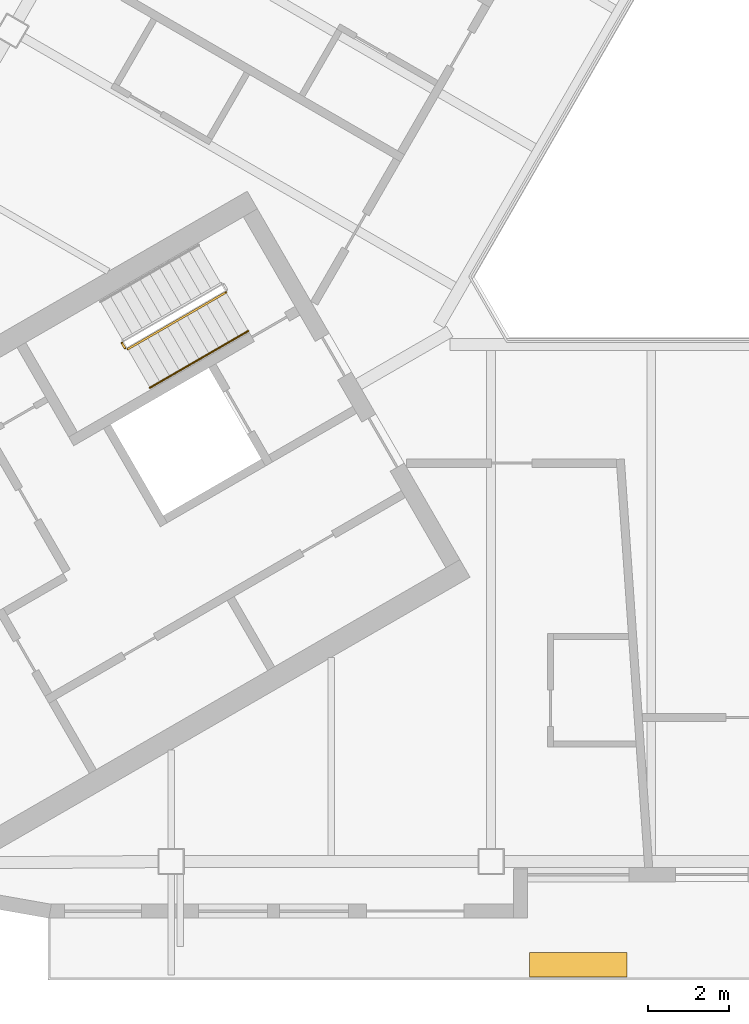
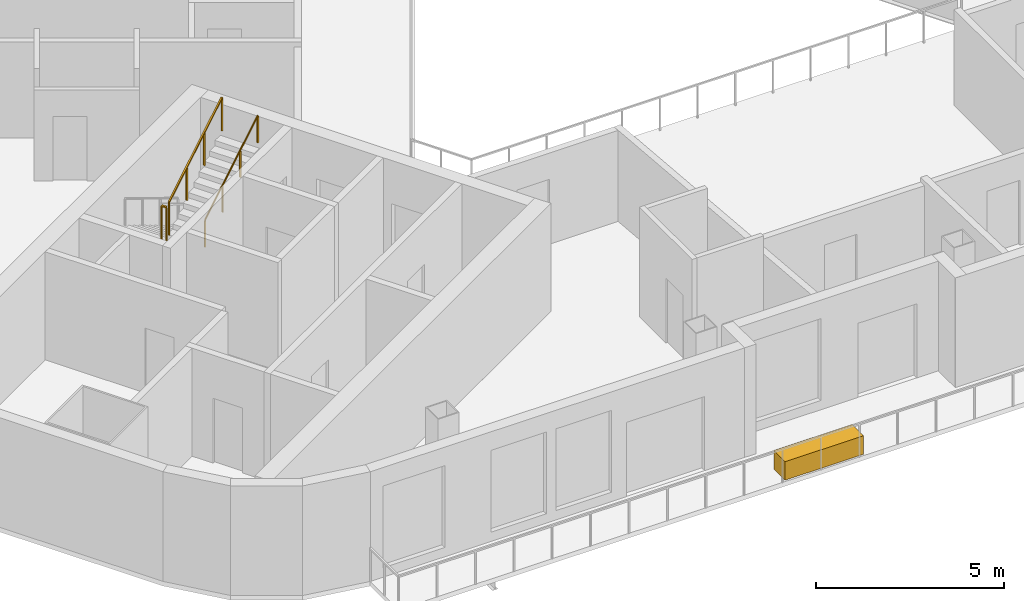
# One storey, part 9 of 14: 3 railings, 1 covering.
"""IFC4 building model written with IfcOpenShell, lengths in metres."""

import ifcopenshell
import ifcopenshell.guid

model = None  # the IFC model being written
_history = None  # IfcOwnerHistory: only IFC2X3 demands one
_inside = {}  # id of a spatial element -> (the spatial element, [elements in it])
_under = {}  # id of a project, library or spatial element -> (it, [spatial elements below it])
_declared = {}  # id of a project -> (the project, [libraries it declares])
_typed = {}  # id of a type object -> (the type object, [elements of that type])
_made_of = {}  # id of a material, layer set ... -> (it, [elements and type objects made of it])


def new_model(schema):
    """Start an empty IFC model of exactly this schema.

    Asked for "IFC4X3", IfcOpenShell would pick the latest addendum, in which some entities
    have other attributes; the version numbers below select the first issue.
    IFC2X3 requires an IfcOwnerHistory on every rooted entity: one is made here for all.
    """
    global model, _history
    if schema == "IFC4X3":
        model = ifcopenshell.file(schema_version=(4, 3, 0, 0))
    else:
        model = ifcopenshell.file(schema=schema)
    _inside.clear()
    _under.clear()
    _declared.clear()
    _typed.clear()
    _made_of.clear()
    _history = None
    if model.schema == "IFC2X3":
        org = make("IfcOrganization", Name="unknown")
        user = make(
            "IfcPersonAndOrganization",
            ThePerson=make("IfcPerson", FamilyName="unknown"),
            TheOrganization=org,
        )
        app = make(
            "IfcApplication",
            ApplicationDeveloper=org,
            Version="unknown",
            ApplicationFullName="unknown",
            ApplicationIdentifier="unknown",
        )
        _history = make(
            "IfcOwnerHistory",
            OwningUser=user,
            OwningApplication=app,
            ChangeAction="ADDED",
            CreationDate=0,
        )
    return model


def make(cls, **values):
    """One entity of the class cls with the attributes given. An attribute that is None is left unset."""
    return model.create_entity(
        cls, **{name: value for name, value in values.items() if value is not None}
    )


def rooted(cls, **values):
    """An entity with a GlobalId (a new one), such as an element, a storey or a relation."""
    return make(cls, GlobalId=ifcopenshell.guid.new(), OwnerHistory=_history, **values)


def si_unit(unit_type, name, prefix=None):
    """IfcSIUnit, for example si_unit("LENGTHUNIT", "METRE", prefix="MILLI")."""
    return make("IfcSIUnit", UnitType=unit_type, Prefix=prefix, Name=name)


def assignment(units):
    """IfcUnitAssignment: the units of a project."""
    return None if units is None else make("IfcUnitAssignment", Units=units)


def point(xyz):
    """IfcCartesianPoint."""
    return None if xyz is None else make("IfcCartesianPoint", Coordinates=xyz)


def direction(xyz):
    """IfcDirection."""
    return None if xyz is None else make("IfcDirection", DirectionRatios=xyz)


def frame(location, z_axis=None, x_axis=None):
    """IfcAxis2Placement3D, a coordinate frame: its origin and axes. An axis left out is left unset."""
    return make(
        "IfcAxis2Placement3D",
        Location=point(location),
        Axis=direction(z_axis),
        RefDirection=direction(x_axis),
    )


def frame_2d(location, x_axis=None):
    """IfcAxis2Placement2D, a coordinate frame in the plane: its origin and x axis."""
    return make(
        "IfcAxis2Placement2D", Location=point(location), RefDirection=direction(x_axis)
    )


def origin():
    """The frame at (0, 0, 0) with its axes left unset."""
    return frame((0.0, 0.0, 0.0))


def origin_2d():
    """The frame at (0, 0) in the plane with its x axis left unset."""
    return frame_2d((0.0, 0.0))


def place(relative_to, where):
    """IfcLocalPlacement: puts the frame where relative to a parent placement (None: the world)."""
    return make(
        "IfcLocalPlacement", PlacementRelTo=relative_to, RelativePlacement=where
    )


def context(
    kind, dimensions, precision=None, world=None, true_north=None, identifier=None
):
    """IfcGeometricRepresentationContext, for example the 3D "Model" context."""
    return make(
        "IfcGeometricRepresentationContext",
        ContextIdentifier=identifier,
        ContextType=kind,
        CoordinateSpaceDimension=dimensions,
        Precision=precision,
        WorldCoordinateSystem=world,
        TrueNorth=true_north,
    )


def subcontext(parent, identifier, kind, view, scale=None):
    """IfcGeometricRepresentationSubContext, for example "Body" below "Model"."""
    return make(
        "IfcGeometricRepresentationSubContext",
        ContextIdentifier=identifier,
        ContextType=kind,
        ParentContext=parent,
        TargetScale=scale,
        TargetView=view,
    )


def project(units=None, contexts=None):
    """IfcProject with its units and contexts."""
    return rooted(
        "IfcProject",
        Name="project",
        RepresentationContexts=contexts,
        UnitsInContext=assignment(units),
    )


def spatial(cls, under=None, at=None, **own):
    """A site, building, storey or space (cls), placed at a placement, below another one or the project."""
    s = rooted(cls, ObjectPlacement=at, **own)
    if under is not None:
        _under.setdefault(under.id(), (under, []))[1].append(s)
    return s


def profile(cls, at=None, kind="AREA", **sizes):
    """A parametric profile (cls). Its sizes go by their IFC names, for example OverallWidth=200.0."""
    return make(cls, ProfileType=kind, Position=at, **sizes)


def rectangle(**sizes):
    """IfcRectangleProfileDef."""
    return profile("IfcRectangleProfileDef", **sizes)


def circle(**sizes):
    """IfcCircleProfileDef."""
    return profile("IfcCircleProfileDef", **sizes)


def extrude(swept, where, along, depth):
    """IfcExtrudedAreaSolid: the profile swept, set in the frame where, extruded along a direction by depth."""
    return make(
        "IfcExtrudedAreaSolid",
        SweptArea=swept,
        Position=where,
        ExtrudedDirection=direction(along),
        Depth=depth,
    )


def shape(context_of_items, identifier, shape_type, items):
    """IfcShapeRepresentation: the items that make up one representation, for example the "Body"."""
    return make(
        "IfcShapeRepresentation",
        ContextOfItems=context_of_items,
        RepresentationIdentifier=identifier,
        RepresentationType=shape_type,
        Items=items,
    )


def material(Name=None, Category=None):
    """IfcMaterial."""
    return make("IfcMaterial", Name=Name, Category=Category)


def made_of(thing, what):
    """Note that an element or type object is made of a material, layer set ...; save() writes the relation."""
    if what is not None:
        _made_of.setdefault(what.id(), (what, []))[1].append(thing)
    return thing


def type_object(cls, material=None, **own):
    """A type object (cls), such as IfcWallType, which elements share."""
    return made_of(rooted(cls, **own), material)


def element(
    cls,
    number,
    at=None,
    inside=None,
    cuts=None,
    type_object=None,
    material=None,
    context=None,
    identifier="Body",
    shape_type=None,
    held_by="IfcProductDefinitionShape",
    body=None,
    shapes=None,
    **own,
):
    """One element of the class cls, such as IfcWall. Its Tag is "e" and its number.

    at: its placement. inside: the storey or other place that contains it. cuts: it is an
    opening in that element (IfcRelVoidsElement). A single representation is given by context,
    identifier, shape_type and body (its items); several are given by shapes. held_by: the class
    of the entity that holds the representations. save() writes the other relations.
    """
    e = rooted(cls, Tag="e%d" % number, ObjectPlacement=at, **own)
    if body is not None:
        shapes = [shape(context, identifier, shape_type, body)]
    if shapes is not None:
        e.Representation = make(held_by, Representations=shapes)
    if inside is not None:
        _inside.setdefault(inside.id(), (inside, []))[1].append(e)
    if cuts is not None:
        rooted(
            "IfcRelVoidsElement", RelatingBuildingElement=cuts, RelatedOpeningElement=e
        )
    if type_object is not None:
        _typed.setdefault(type_object.id(), (type_object, []))[1].append(e)
    return made_of(e, material)


def aggregate(whole, parts):
    """IfcRelAggregates: a whole, such as a stair, and the parts it consists of."""
    return rooted("IfcRelAggregates", RelatingObject=whole, RelatedObjects=parts)


def save(model, path):
    """Write the relations noted so far, then the file.

    IfcRelAggregates (storeys below a building ...), IfcRelContainedInSpatialStructure (elements
    in a storey), IfcRelDefinesByType, IfcRelAssociatesMaterial and IfcRelDeclares: one each for
    every whole, place, type object, material and project.
    """
    for whole, parts in _under.values():
        aggregate(whole, parts)
    for where, things in _inside.values():
        rooted(
            "IfcRelContainedInSpatialStructure",
            RelatedElements=things,
            RelatingStructure=where,
        )
    for kind, things in _typed.values():
        rooted("IfcRelDefinesByType", RelatedObjects=things, RelatingType=kind)
    for what, things in _made_of.values():
        rooted("IfcRelAssociatesMaterial", RelatedObjects=things, RelatingMaterial=what)
    for by, libraries in _declared.values():
        rooted("IfcRelDeclares", RelatingContext=by, RelatedDefinitions=libraries)
    model.write(path)


model = new_model("IFC4")

# Units and contexts
model_context = context("Model", 3, precision=1e-05, world=origin(), true_north=direction((0.0, 1.0)))
body_context = subcontext(model_context, "Body", "Model", "MODEL_VIEW")
ifc_project = project(units=[si_unit("LENGTHUNIT", "METRE"), si_unit("AREAUNIT", "SQUARE_METRE"), si_unit("VOLUMEUNIT", "CUBIC_METRE"), si_unit("PLANEANGLEUNIT", "RADIAN"), si_unit("MASSUNIT", "GRAM", prefix="KILO")], contexts=[model_context])

# Site, building, storey
site_placement = place(None, origin())
site = spatial("IfcSite", under=ifc_project, at=site_placement, CompositionType="ELEMENT")
building_placement = place(site_placement, origin())
building = spatial("IfcBuilding", under=site, at=building_placement, Name="Apuvela Tower Hotel", CompositionType="ELEMENT")
storey_placement = place(building_placement, frame((0.0, 0.0, 250.39990234375)))
storey = spatial("IfcBuildingStorey", under=building, at=storey_placement, Name="L61", CompositionType="ELEMENT", Elevation=250.39990234375)

# Railings
ifc_material_1 = material(Name="Steel S275 balustrade", Category="steel")
railing_type_1 = type_object("IfcRailingType", Name="COR-GUARD-1100", PredefinedType="GUARDRAIL", material=ifc_material_1)
railing_1_placement = place(storey_placement, frame((-17.01220703125, -5.43408203125, 1.85009765625)))
element("IfcRailing", 1, at=railing_1_placement, inside=storey, type_object=railing_type_1, Name="L61 ST2 stair guard 2", PredefinedType="GUARDRAIL", context=body_context, shape_type="SweptSolid", body=[
    extrude(rectangle(XDim=0.048095703125, YDim=0.048095703125, at=origin_2d()), frame((0.0, 0.0, 1.076171875), z_axis=(0.499816412211, -0.866131372301, 0.0), x_axis=(0.866131372301, 0.499816412211, 0.0)), (0.0, 0.0, 1.0), 0.14990234375),
    extrude(rectangle(XDim=0.0419921875, YDim=0.0419921875, at=origin_2d()), origin(), (0.0, 0.0, 1.0), 1.052001953125),
    extrude(rectangle(XDim=0.0419921875, YDim=0.0419921875, at=origin_2d()), frame((0.074951171875, -0.1298828125, 0.0)), (0.0, 0.0, 1.0), 1.052001953125),
])
railing_2_placement = place(storey_placement, frame((-16.868896484375, -5.582275390625, 2.018310546875)))
element("IfcRailing", 2, at=railing_2_placement, inside=storey, type_object=railing_type_1, Name="L61 ST2 stair guard 3", PredefinedType="GUARDRAIL", context=body_context, shape_type="SweptSolid", body=[
    extrude(rectangle(XDim=0.048095703125, YDim=0.048095703125, at=origin_2d()), frame((0.0, 0.0, 1.076171875), z_axis=(0.742390482028, 0.42860119049, 0.514934356695), x_axis=(-0.49998411664, 0.866034573852, 0.0)), (0.0, 0.0, 1.0), 3.26611328125),
    extrude(rectangle(XDim=0.0419921875, YDim=0.0419921875, at=origin_2d()), origin(), (0.0, 0.0, 1.0), 1.052001953125),
    extrude(rectangle(XDim=0.0419921875, YDim=0.0419921875, at=origin_2d()), frame((0.808349609375, 0.466552734375, 0.560546875)), (0.0, 0.0, 1.0), 1.052001953125),
    extrude(rectangle(XDim=0.0419921875, YDim=0.0419921875, at=origin_2d()), frame((1.616455078125, 0.933349609375, 1.121337890625)), (0.0, 0.0, 1.0), 1.052001953125),
    extrude(rectangle(XDim=0.0419921875, YDim=0.0419921875, at=origin_2d()), frame((2.4248046875, 1.39990234375, 1.681884765625)), (0.0, 0.0, 1.0), 1.052001953125),
])
ifc_material_2 = material(Name="Stainless steel 316 handrail", Category="steel")
railing_type_2 = type_object("IfcRailingType", Name="COR-HANDRAIL-900", PredefinedType="HANDRAIL", material=ifc_material_2)
railing_3_placement = place(storey_placement, frame((-16.31884765625, -6.534912109375, 2.018310546875)))
element("IfcRailing", 3, at=railing_3_placement, inside=storey, type_object=railing_type_2, Name="L61 ST2 stair handrail 2", PredefinedType="HANDRAIL", context=body_context, shape_type="SweptSolid", body=[
    extrude(circle(Radius=0.02392578125, at=origin_2d()), frame((0.0, 0.0, 0.8759765625), z_axis=(0.742390482028, 0.42860119049, 0.514934356695), x_axis=(-0.49998411664, 0.866034573852, 0.0)), (0.0, 0.0, 1.0), 3.26611328125),
    extrude(rectangle(XDim=0.0419921875, YDim=0.0419921875, at=origin_2d()), origin(), (0.0, 0.0, 1.0), 0.851806640625),
    extrude(rectangle(XDim=0.0419921875, YDim=0.0419921875, at=origin_2d()), frame((0.808349609375, 0.466552734375, 0.560546875)), (0.0, 0.0, 1.0), 0.851806640625),
    extrude(rectangle(XDim=0.0419921875, YDim=0.0419921875, at=origin_2d()), frame((1.616455078125, 0.933349609375, 1.121337890625)), (0.0, 0.0, 1.0), 0.851806640625),
    extrude(rectangle(XDim=0.0419921875, YDim=0.0419921875, at=origin_2d()), frame((2.4248046875, 1.39990234375, 1.681884765625)), (0.0, 0.0, 1.0), 0.851806640625),
])

# Covering
ifc_material_3 = material(Name="Planting substrate and soil, planted")
covering_type = type_object("IfcCoveringType", Name="ENV-PLANTER-2400x600", PredefinedType="USERDEFINED", material=ifc_material_3)
covering_placement = place(storey_placement, frame((-5.74951171875, -20.780029296875, 0.0), z_axis=(0.0, 0.0, 1.0), x_axis=(1.0, 0.0, 0.0)))
element("IfcCovering", 4, at=covering_placement, inside=storey, type_object=covering_type, Name="Planter S1", ObjectType="PLANTER", PredefinedType="USERDEFINED", context=body_context, shape_type="SweptSolid", body=[
    extrude(rectangle(XDim=2.39990234375, YDim=0.60009765625, at=origin_2d()), origin(), (0.0, 0.0, 1.0), 0.60009765625),
])

save(model, "model.ifc")
